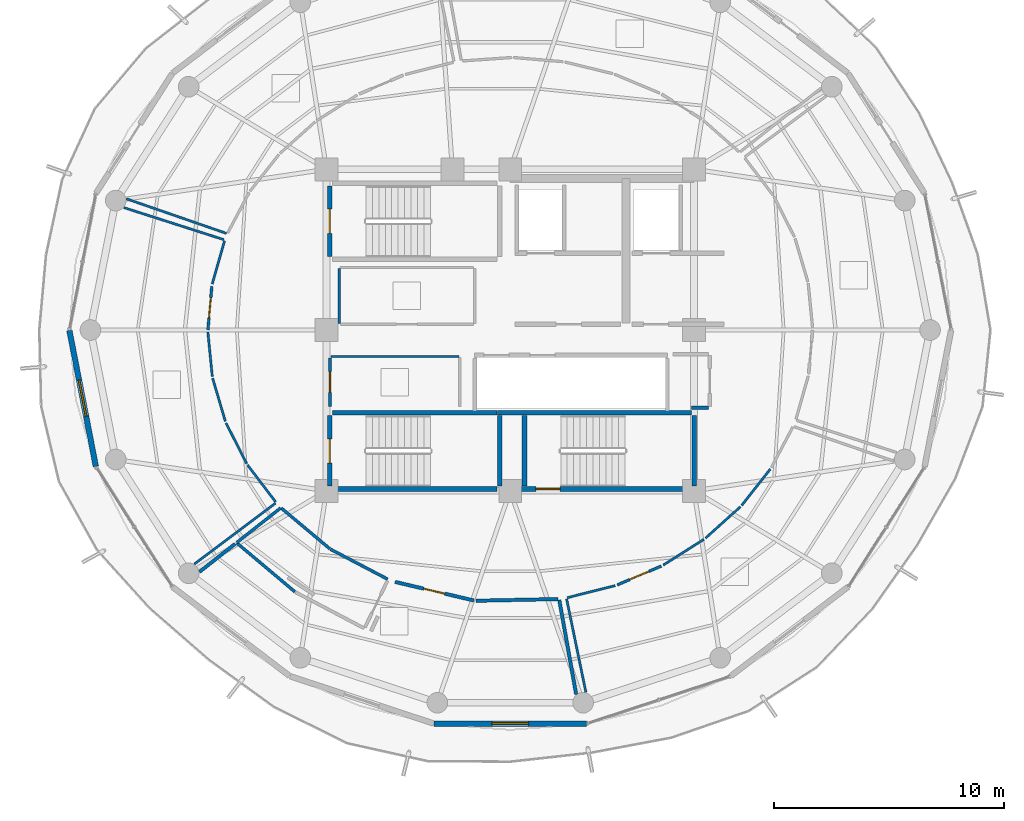
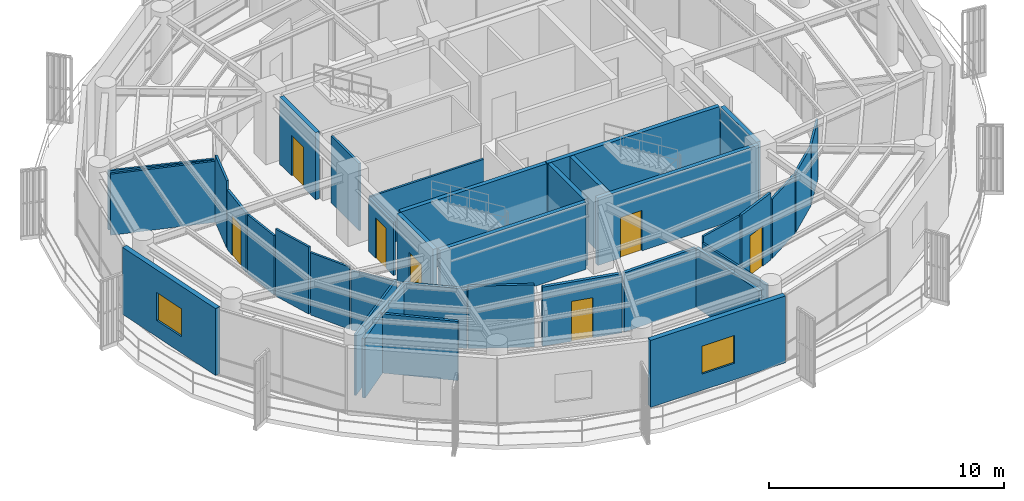
# One storey, part 16 of 23: 38 walls, 7 doors, 2 windows, 9 openings.
"""IFC4 building model written with IfcOpenShell, lengths in metres."""

from ifc_helpers import new_model, si_unit, direction, frame, frame_2d, origin, place, context, subcontext, project, spatial, rectangle, extrude, material, layer, layer_set, type_object, element, fill, save


model = new_model("IFC4")

# Units and contexts
model_context = context("Model", 3, precision=1e-05, world=origin(), true_north=direction((0.0, 1.0)))
body_context = subcontext(model_context, "Body", "Model", "MODEL_VIEW")
ifc_project = project(units=[si_unit("LENGTHUNIT", "METRE"), si_unit("AREAUNIT", "SQUARE_METRE"), si_unit("VOLUMEUNIT", "CUBIC_METRE"), si_unit("PLANEANGLEUNIT", "RADIAN"), si_unit("MASSUNIT", "GRAM", prefix="KILO")], contexts=[model_context])

# Site, building, storey
site_placement = place(None, origin())
site = spatial("IfcSite", under=ifc_project, at=site_placement, CompositionType="ELEMENT")
building_placement = place(site_placement, origin())
building = spatial("IfcBuilding", under=site, at=building_placement, Name="Kelanora Arch Commons", CompositionType="ELEMENT")
storey_placement = place(building_placement, frame((0.0, 0.0, 286.199951171875)))
storey = spatial("IfcBuildingStorey", under=building, at=storey_placement, Name="L73", CompositionType="ELEMENT", Elevation=286.199951171875)

# Wall, opening, door
ifc_material_1 = material(Name="Autoclaved aerated concrete blockwork with fire plaster", Category="masonry")
ifc_layer_1 = layer(ifc_material_1, 0.14990234375)
ifc_layer_set_1 = layer_set([ifc_layer_1], Name="Autoclaved aerated concrete blockwork with fire plaster")
wall_type_1 = type_object("IfcWallType", Name="W-COMP-150", PredefinedType="PARTITIONING", material=ifc_layer_set_1)
wall_1_placement = place(storey_placement, frame((68.9833984375, 47.033203125, 0.0), z_axis=(0.0, 0.0, 1.0), x_axis=(0.973265021884, -0.229684995542, 0.0)))
wall_1 = element("IfcWall", 1, at=wall_1_placement, inside=storey, type_object=wall_type_1, Name="Co-Living Studio L73-03 Entry Partition", PredefinedType="PARTITIONING", context=body_context, shape_type="SweptSolid", body=[
    extrude(rectangle(XDim=3.519287109375, YDim=0.14990234375, at=frame_2d((1.759765625, 0.0))), origin(), (0.0, 0.0, 1.0), 3.074951171875),
])
opening_1_placement = place(wall_1_placement, frame((1.284912109375, 0.0, 0.0)))
opening_1 = element("IfcOpeningElement", 2, at=opening_1_placement, cuts=wall_1, Name="Opening D-CLU1", PredefinedType="OPENING", context=body_context, shape_type="SweptSolid", body=[
    extrude(rectangle(XDim=0.949951171875, YDim=2.080078125, at=frame_2d((0.47509765625, 1.0400390625))), frame((0.0, 0.0849609375, 0.0), z_axis=(0.0, -1.0, 0.0), x_axis=(1.0, 0.0, 0.0)), (0.0, 0.0, 1.0), 0.169921875),
])
ifc_material_2 = material(Name="Solid-core acoustic timber cluster entry fire door", Category="wood")
door_type_1 = type_object("IfcDoorType", Name="D-CLU-95", OperationType="NOTDEFINED", PredefinedType="DOOR", material=ifc_material_2)
door_1_placement = place(opening_1_placement, origin())
door_1 = element("IfcDoor", 3, at=door_1_placement, inside=storey, type_object=door_type_1, Name="Co-Living Studio L73-03 Door", OperationType="SINGLE_SWING_LEFT", OverallHeight=2.080078125, OverallWidth=0.949951171875, PredefinedType="DOOR", context=body_context, shape_type="SweptSolid", body=[
    extrude(rectangle(XDim=0.949951171875, YDim=2.080078125, at=frame_2d((0.47509765625, 1.0400390625))), frame((0.0, 0.02490234375, 0.0), z_axis=(0.0, -1.0, 0.0), x_axis=(1.0, 0.0, 0.0)), (0.0, 0.0, 1.0), 0.050048828125),
])
fill(opening_1, door_1)

# Walls
wall_2_placement = place(storey_placement, frame((81.89990234375, 54.6201171875, 0.0), z_axis=(0.0, 0.0, 1.0), x_axis=(1.0, 0.0, 0.0)))
element("IfcWall", 4, at=wall_2_placement, inside=storey, type_object=wall_type_1, Name="Core Housekeeping Store L73 Enclosure Partition 1", PredefinedType="PARTITIONING", context=body_context, shape_type="SweptSolid", body=[
    extrude(rectangle(XDim=0.739990234375, YDim=0.14990234375, at=frame_2d((0.3701171875, 0.0))), origin(), (0.0, 0.0, 1.0), 2.775146484375),
])
wall_3_placement = place(storey_placement, frame((72.507080078125, 46.2119140625, 0.0), z_axis=(0.0, 0.0, 1.0), x_axis=(0.999790880908, 0.02044980325, 0.0)))
element("IfcWall", 5, at=wall_3_placement, inside=storey, type_object=wall_type_1, Name="Co-Living Studio L73-03 Enclosure Partition 2", PredefinedType="PARTITIONING", context=body_context, shape_type="SweptSolid", body=[
    extrude(rectangle(XDim=3.58154296875, YDim=0.14990234375, at=frame_2d((1.790771484375, 0.0))), origin(), (0.0, 0.0, 1.0), 3.074951171875),
])
wall_4_placement = place(storey_placement, frame((76.135009765625, 46.24658203125, 0.0), z_axis=(0.0, 0.0, 1.0), x_axis=(0.176199339585, -0.984354505618, 0.0)))
element("IfcWall", 6, at=wall_4_placement, inside=storey, type_object=wall_type_1, Name="Co-Living Studio L73-03 Enclosure Partition 3", PredefinedType="PARTITIONING", context=body_context, shape_type="SweptSolid", body=[
    extrude(rectangle(XDim=4.17626953125, YDim=0.14990234375, at=frame_2d((2.088134765625, 0.0))), origin(), (0.0, 0.0, 1.0), 3.074951171875),
])
wall_5_placement = place(storey_placement, frame((60.4677734375, 47.467529296875, 0.0), z_axis=(0.0, 0.0, 1.0), x_axis=(0.785768578647, 0.618520606618, 0.0)))
element("IfcWall", 7, at=wall_5_placement, inside=storey, type_object=wall_type_1, Name="Co-Living Studio L73-03 Enclosure Partition 6", PredefinedType="PARTITIONING", context=body_context, shape_type="SweptSolid", body=[
    extrude(rectangle(XDim=1.9736328125, YDim=0.14990234375, at=frame_2d((0.98681640625, 0.0))), origin(), (0.0, 0.0, 1.0), 3.074951171875),
])

# Wall, opening, window
ifc_material_3 = material(Name="Precast concrete C40/50 upper-zone terracotta rainscreen", Category="masonry")
ifc_layer_2 = layer(ifc_material_3, 0.239990234375)
ifc_layer_set_2 = layer_set([ifc_layer_2], Name="Precast concrete C40/50 upper-zone terracotta rainscreen")
wall_type_2 = type_object("IfcWallType", Name="W-EXT-TC2", PredefinedType="SOLIDWALL", material=ifc_layer_set_2)
wall_6_placement = place(storey_placement, frame((54.802978515625, 57.9853515625, 0.0), z_axis=(0.0, 0.0, 1.0), x_axis=(0.190969309115, -0.981596008028, 0.0)))
wall_6 = element("IfcWall", 8, at=wall_6_placement, inside=storey, type_object=wall_type_2, Name="Terracotta Exterior Wall L73-B09", PredefinedType="SOLIDWALL", context=body_context, shape_type="SweptSolid", body=[
    extrude(rectangle(XDim=6.032958984375, YDim=0.239990234375, at=frame_2d((3.0166015625, 0.0))), origin(), (0.0, 0.0, 1.0), 3.47509765625),
])
opening_2_placement = place(wall_6_placement, frame((2.216064453125, 0.0, 0.85009765625)))
opening_2 = element("IfcOpeningElement", 9, at=opening_2_placement, cuts=wall_6, Name="Opening WN-01", PredefinedType="OPENING", context=body_context, shape_type="SweptSolid", body=[
    extrude(rectangle(XDim=1.60009765625, YDim=1.449951171875, at=frame_2d((0.800048828125, 0.72509765625))), frame((0.0, 0.1298828125, 0.0), z_axis=(0.0, -1.0, 0.0), x_axis=(1.0, 0.0, 0.0)), (0.0, 0.0, 1.0), 0.260009765625),
])
ifc_material_4 = material(Name="Terracotta-anodised aluminium frame with operable low-E glazing", Category="masonry")
window_type = type_object("IfcWindowType", Name="WIN-CL-18", PartitioningType="DOUBLE_PANEL_VERTICAL", PredefinedType="WINDOW", material=ifc_material_4)
window_1_placement = place(opening_2_placement, origin())
window_1 = element("IfcWindow", 10, at=window_1_placement, inside=storey, type_object=window_type, Name="Co-Living Operable Window L73-B09", OverallHeight=1.449951171875, OverallWidth=1.60009765625, PartitioningType="SINGLE_PANEL", PredefinedType="WINDOW", context=body_context, shape_type="SweptSolid", body=[
    extrude(rectangle(XDim=1.60009765625, YDim=1.449951171875, at=frame_2d((0.800048828125, 0.72509765625))), frame((0.0, 0.030029296875, 0.0), z_axis=(0.0, -1.0, 0.0), x_axis=(1.0, 0.0, 0.0)), (0.0, 0.0, 1.0), 0.06005859375),
])
fill(opening_2, window_1)

wall_7_placement = place(storey_placement, frame((70.680908203125, 40.8642578125, 0.0), z_axis=(0.0, 0.0, 1.0), x_axis=(1.0, 0.0, 0.0)))
wall_7 = element("IfcWall", 11, at=wall_7_placement, inside=storey, type_object=wall_type_2, Name="Terracotta Exterior Wall L73-B13", PredefinedType="SOLIDWALL", context=body_context, shape_type="SweptSolid", body=[
    extrude(rectangle(XDim=6.63818359375, YDim=0.239990234375, at=frame_2d((3.319091796875, 0.0))), origin(), (0.0, 0.0, 1.0), 3.47509765625),
])
opening_3_placement = place(wall_7_placement, frame((2.51904296875, 0.0, 0.85009765625)))
opening_3 = element("IfcOpeningElement", 12, at=opening_3_placement, cuts=wall_7, Name="Opening WN-01", PredefinedType="OPENING", context=body_context, shape_type="SweptSolid", body=[
    extrude(rectangle(XDim=1.60009765625, YDim=1.449951171875, at=frame_2d((0.800048828125, 0.72509765625))), frame((0.0, 0.1298828125, 0.0), z_axis=(0.0, -1.0, 0.0), x_axis=(1.0, 0.0, 0.0)), (0.0, 0.0, 1.0), 0.260009765625),
])
window_2_placement = place(opening_3_placement, origin())
window_2 = element("IfcWindow", 13, at=window_2_placement, inside=storey, type_object=window_type, Name="Co-Living Operable Window L73-B13", OverallHeight=1.449951171875, OverallWidth=1.60009765625, PartitioningType="SINGLE_PANEL", PredefinedType="WINDOW", context=body_context, shape_type="SweptSolid", body=[
    extrude(rectangle(XDim=1.60009765625, YDim=1.449951171875, at=frame_2d((0.800048828125, 0.72509765625))), frame((0.0, 0.030029296875, 0.0), z_axis=(0.0, -1.0, 0.0), x_axis=(1.0, 0.0, 0.0)), (0.0, 0.0, 1.0), 0.06005859375),
])
fill(opening_3, window_2)

# Walls
ifc_material_5 = material(Name="Lightweight fire-rated acoustic stud partition")
ifc_layer_3 = layer(ifc_material_5, 0.10009765625)
ifc_layer_set_3 = layer_set([ifc_layer_3], Name="Lightweight fire-rated acoustic stud partition")
wall_type_3 = type_object("IfcWallType", Name="W-PART-100", PredefinedType="PARTITIONING", material=ifc_layer_set_3)
wall_8_placement = place(storey_placement, frame((66.550048828125, 60.679931640625, 0.0), z_axis=(0.0, 0.0, 1.0), x_axis=(0.0, -1.0, 0.0)))
element("IfcWall", 14, at=wall_8_placement, inside=storey, type_object=wall_type_3, Name="Reclaimed Core Study Pod Lounge L73 Enclosure Partition 4", PredefinedType="PARTITIONING", context=body_context, shape_type="SweptSolid", body=[
    extrude(rectangle(XDim=2.389892578125, YDim=0.10009765625, at=frame_2d((1.19482421875, 0.0))), origin(), (0.0, 0.0, 1.0), 3.47998046875),
])
wall_9_placement = place(storey_placement, frame((71.760009765625, 56.85009765625, 0.0), z_axis=(0.0, 0.0, 1.0), x_axis=(-1.0, 0.0, 0.0)))
element("IfcWall", 15, at=wall_9_placement, inside=storey, type_object=wall_type_3, Name="Reclaimed Core High-Zone Pantry and Copy Room L73 Enclosure Partition 3", PredefinedType="PARTITIONING", context=body_context, shape_type="SweptSolid", body=[
    extrude(rectangle(XDim=5.570068359375, YDim=0.10009765625, at=frame_2d((2.78515625, 0.0))), origin(), (0.0, 0.0, 1.0), 2.775146484375),
])
wall_10_placement = place(storey_placement, frame((61.64208984375, 62.208984375, 0.0), z_axis=(0.0, 0.0, 1.0), x_axis=(-0.945103281494, 0.326771766388, 0.0)))
element("IfcWall", 16, at=wall_10_placement, inside=storey, type_object=wall_type_3, Name="Communal Dining and Social Hall L73-01 Enclosure Partition 7", PredefinedType="PARTITIONING", context=body_context, shape_type="SweptSolid", body=[
    extrude(rectangle(XDim=4.603759765625, YDim=0.10009765625, at=frame_2d((2.3017578125, 0.0))), origin(), (0.0, 0.0, 1.0), 3.074951171875),
])
wall_11_placement = place(storey_placement, frame((61.55908203125, 61.884521484375, 0.0), z_axis=(0.0, 0.0, 1.0), x_axis=(-0.274226302341, -0.961665188673, 0.0)))
element("IfcWall", 17, at=wall_11_placement, inside=storey, type_object=wall_type_3, Name="Social Sky Lounge L73-02 Enclosure Partition 1", PredefinedType="PARTITIONING", context=body_context, shape_type="SweptSolid", body=[
    extrude(rectangle(XDim=1.955078125, YDim=0.10009765625, at=frame_2d((0.9775390625, 0.0))), origin(), (0.0, 0.0, 1.0), 3.47998046875),
])
wall_12_placement = place(storey_placement, frame((60.833984375, 57.912109375, 0.0), z_axis=(0.0, 0.0, 1.0), x_axis=(0.098769631998, -0.995110325439, 0.0)))
element("IfcWall", 18, at=wall_12_placement, inside=storey, type_object=wall_type_3, Name="Social Sky Lounge L73-02 Enclosure Partition 3", PredefinedType="PARTITIONING", context=body_context, shape_type="SweptSolid", body=[
    extrude(rectangle(XDim=1.94287109375, YDim=0.10009765625, at=frame_2d((0.971435546875, 0.0))), origin(), (0.0, 0.0, 1.0), 3.074951171875),
])
wall_13_placement = place(storey_placement, frame((61.041259765625, 55.900634765625, 0.0), z_axis=(0.0, 0.0, 1.0), x_axis=(0.28293653612, -0.959138632591, 0.0)))
element("IfcWall", 19, at=wall_13_placement, inside=storey, type_object=wall_type_3, Name="Social Sky Lounge L73-02 Enclosure Partition 4", PredefinedType="PARTITIONING", context=body_context, shape_type="SweptSolid", body=[
    extrude(rectangle(XDim=1.9560546875, YDim=0.10009765625, at=frame_2d((0.97802734375, 0.0))), origin(), (0.0, 0.0, 1.0), 3.47998046875),
])
wall_14_placement = place(storey_placement, frame((61.6240234375, 53.950439453125, 0.0), z_axis=(0.0, 0.0, 1.0), x_axis=(0.453658133306, -0.891175795276, 0.0)))
element("IfcWall", 20, at=wall_14_placement, inside=storey, type_object=wall_type_3, Name="Social Sky Lounge L73-02 Enclosure Partition 5", PredefinedType="PARTITIONING", context=body_context, shape_type="SweptSolid", body=[
    extrude(rectangle(XDim=1.9814453125, YDim=0.10009765625, at=frame_2d((0.99072265625, 0.0))), origin(), (0.0, 0.0, 1.0), 3.235107421875),
])
wall_15_placement = place(storey_placement, frame((62.565185546875, 52.1171875, 0.0), z_axis=(0.0, 0.0, 1.0), x_axis=(0.605473441765, -0.795865510823, 0.0)))
element("IfcWall", 21, at=wall_15_placement, inside=storey, type_object=wall_type_3, Name="Social Sky Lounge L73-02 Enclosure Partition 6", PredefinedType="PARTITIONING", context=body_context, shape_type="SweptSolid", body=[
    extrude(rectangle(XDim=2.014404296875, YDim=0.10009765625, at=frame_2d((1.00732421875, 0.0))), origin(), (0.0, 0.0, 1.0), 3.074951171875),
])
wall_16_placement = place(storey_placement, frame((63.777099609375, 50.4580078125, 0.0), z_axis=(0.0, 0.0, 1.0), x_axis=(-0.800384816546, -0.599486568191, 0.0)))
element("IfcWall", 22, at=wall_16_placement, inside=storey, type_object=wall_type_3, Name="Social Sky Lounge L73-02 Enclosure Partition 7", PredefinedType="PARTITIONING", context=body_context, shape_type="SweptSolid", body=[
    extrude(rectangle(XDim=4.413818359375, YDim=0.10009765625, at=frame_2d((2.20703125, 0.0))), origin(), (0.0, 0.0, 1.0), 3.175048828125),
])
wall_17_placement = place(storey_placement, frame((57.184326171875, 63.328857421875, 0.0), z_axis=(0.0, 0.0, 1.0), x_axis=(0.95227750557, -0.305233602976, 0.0)))
element("IfcWall", 23, at=wall_17_placement, inside=storey, type_object=wall_type_3, Name="Social Sky Lounge L73-02 Enclosure Partition 14", PredefinedType="PARTITIONING", context=body_context, shape_type="SweptSolid", body=[
    extrude(rectangle(XDim=4.5654296875, YDim=0.10009765625, at=frame_2d((2.28271484375, 0.0))), origin(), (0.0, 0.0, 1.0), 3.175048828125),
])
wall_18_placement = place(storey_placement, frame((76.48388671875, 46.345703125, 0.0), z_axis=(0.0, 0.0, 1.0), x_axis=(0.969827312174, 0.243792913272, 0.0)))
element("IfcWall", 24, at=wall_18_placement, inside=storey, type_object=wall_type_3, Name="Quiet Seminar Study Room L73-04 Enclosure Partition 1", PredefinedType="PARTITIONING", context=body_context, shape_type="SweptSolid", body=[
    extrude(rectangle(XDim=2.14697265625, YDim=0.10009765625, at=frame_2d((1.073486328125, 0.0))), origin(), (0.0, 0.0, 1.0), 3.47998046875),
])
wall_19_placement = place(storey_placement, frame((80.664794921875, 47.766357421875, 0.0), z_axis=(0.0, 0.0, 1.0), x_axis=(0.844856002064, 0.534993771717, 0.0)))
element("IfcWall", 25, at=wall_19_placement, inside=storey, type_object=wall_type_3, Name="Quiet Seminar Study Room L73-04 Enclosure Partition 3", PredefinedType="PARTITIONING", context=body_context, shape_type="SweptSolid", body=[
    extrude(rectangle(XDim=2.091796875, YDim=0.10009765625, at=frame_2d((1.0458984375, 0.0))), origin(), (0.0, 0.0, 1.0), 3.074951171875),
])
wall_20_placement = place(storey_placement, frame((82.495849609375, 48.93359375, 0.0), z_axis=(0.0, 0.0, 1.0), x_axis=(0.743943808924, 0.668242178527, 0.0)))
element("IfcWall", 26, at=wall_20_placement, inside=storey, type_object=wall_type_3, Name="Quiet Seminar Study Room L73-04 Enclosure Partition 4", PredefinedType="PARTITIONING", context=body_context, shape_type="SweptSolid", body=[
    extrude(rectangle(XDim=2.054443359375, YDim=0.10009765625, at=frame_2d((1.02734375, 0.0))), origin(), (0.0, 0.0, 1.0), 3.074951171875),
])
wall_21_placement = place(storey_placement, frame((84.07861328125, 50.364501953125, 0.0), z_axis=(0.0, 0.0, 1.0), x_axis=(0.618820199788, 0.785532660259, 0.0)))
element("IfcWall", 27, at=wall_21_placement, inside=storey, type_object=wall_type_3, Name="Quiet Seminar Study Room L73-04 Enclosure Partition 5", PredefinedType="PARTITIONING", context=body_context, shape_type="SweptSolid", body=[
    extrude(rectangle(XDim=2.01806640625, YDim=0.10009765625, at=frame_2d((1.009033203125, 0.0))), origin(), (0.0, 0.0, 1.0), 3.074951171875),
])
wall_22_placement = place(storey_placement, frame((77.293212890625, 42.230224609375, 0.0), z_axis=(0.0, 0.0, 1.0), x_axis=(-0.202308141573, 0.979321916355, 0.0)))
element("IfcWall", 28, at=wall_22_placement, inside=storey, type_object=wall_type_3, Name="Quiet Seminar Study Room L73-04 Enclosure Partition 14", PredefinedType="PARTITIONING", context=body_context, shape_type="SweptSolid", body=[
    extrude(rectangle(XDim=4.152587890625, YDim=0.10009765625, at=frame_2d((2.076171875, 0.0))), origin(), (0.0, 0.0, 1.0), 3.175048828125),
])

# Wall, opening, door
ifc_material_6 = material(Name="Acoustic twin-stud fire-rated gypsum partition")
ifc_layer_4 = layer(ifc_material_6, 0.1201171875)
ifc_layer_set_4 = layer_set([ifc_layer_4], Name="Acoustic twin-stud fire-rated gypsum partition")
wall_type_4 = type_object("IfcWallType", Name="W-PART-120", PredefinedType="PARTITIONING", material=ifc_layer_set_4)
wall_23_placement = place(storey_placement, frame((66.14990234375, 54.679931640625, 0.0), z_axis=(0.0, 0.0, 1.0), x_axis=(0.0, 1.0, 0.0)))
wall_23 = element("IfcWall", 29, at=wall_23_placement, inside=storey, type_object=wall_type_4, Name="Reclaimed Core High-Zone Pantry and Copy Room L73 Entry Partition", PredefinedType="PARTITIONING", context=body_context, shape_type="SweptSolid", body=[
    extrude(rectangle(XDim=2.110107421875, YDim=0.1201171875, at=frame_2d((1.05517578125, 0.0))), origin(), (0.0, 0.0, 1.0), 2.775146484375),
])
opening_4_placement = place(wall_23_placement, frame((0.60498046875, 0.0, 0.0)))
opening_4 = element("IfcOpeningElement", 30, at=opening_4_placement, cuts=wall_23, Name="Opening D-RM1", PredefinedType="OPENING", context=body_context, shape_type="SweptSolid", body=[
    extrude(rectangle(XDim=0.89990234375, YDim=2.080078125, at=frame_2d((0.449951171875, 1.0400390625))), frame((0.0, 0.070068359375, 0.0), z_axis=(0.0, -1.0, 0.0), x_axis=(1.0, 0.0, 0.0)), (0.0, 0.0, 1.0), 0.14013671875),
])
ifc_material_7 = material(Name="Acoustic fire-rated timber study and lounge door", Category="wood")
door_type_2 = type_object("IfcDoorType", Name="D-ROOM-90", OperationType="NOTDEFINED", PredefinedType="DOOR", material=ifc_material_7)
door_2_placement = place(opening_4_placement, origin())
door_2 = element("IfcDoor", 31, at=door_2_placement, inside=storey, type_object=door_type_2, Name="Reclaimed Core High-Zone Pantry and Copy Room L73 Door", OperationType="SINGLE_SWING_LEFT", OverallHeight=2.080078125, OverallWidth=0.89990234375, PredefinedType="DOOR", context=body_context, shape_type="SweptSolid", body=[
    extrude(rectangle(XDim=0.89990234375, YDim=2.080078125, at=frame_2d((0.449951171875, 1.0400390625))), frame((0.0, 0.02490234375, 0.0), z_axis=(0.0, -1.0, 0.0), x_axis=(1.0, 0.0, 0.0)), (0.0, 0.0, 1.0), 0.050048828125),
])
fill(opening_4, door_2)

wall_24_placement = place(storey_placement, frame((61.006591796875, 59.90625, 0.0), z_axis=(0.0, 0.0, 1.0), x_axis=(-0.089968706127, -0.995944592795, 0.0)))
wall_24 = element("IfcWall", 32, at=wall_24_placement, inside=storey, type_object=wall_type_4, Name="Social Sky Lounge L73-02 Entry Partition", PredefinedType="PARTITIONING", context=body_context, shape_type="SweptSolid", body=[
    extrude(rectangle(XDim=1.90234375, YDim=0.1201171875, at=frame_2d((0.951171875, 0.0))), origin(), (0.0, 0.0, 1.0), 3.074951171875),
])
opening_5_placement = place(wall_24_placement, frame((0.5009765625, 0.0, 0.0)))
opening_5 = element("IfcOpeningElement", 33, at=opening_5_placement, cuts=wall_24, Name="Opening D-RM1", PredefinedType="OPENING", context=body_context, shape_type="SweptSolid", body=[
    extrude(rectangle(XDim=0.89990234375, YDim=2.080078125, at=frame_2d((0.449951171875, 1.0400390625))), frame((0.0, 0.070068359375, 0.0), z_axis=(0.0, -1.0, 0.0), x_axis=(1.0, 0.0, 0.0)), (0.0, 0.0, 1.0), 0.14013671875),
])
door_3_placement = place(opening_5_placement, origin())
door_3 = element("IfcDoor", 34, at=door_3_placement, inside=storey, type_object=door_type_2, Name="Social Sky Lounge L73-02 Door", OperationType="SINGLE_SWING_LEFT", OverallHeight=2.080078125, OverallWidth=0.89990234375, PredefinedType="DOOR", context=body_context, shape_type="SweptSolid", body=[
    extrude(rectangle(XDim=0.89990234375, YDim=2.080078125, at=frame_2d((0.449951171875, 1.0400390625))), frame((0.0, 0.02490234375, 0.0), z_axis=(0.0, -1.0, 0.0), x_axis=(1.0, 0.0, 0.0)), (0.0, 0.0, 1.0), 0.050048828125),
])
fill(opening_5, door_3)

wall_25_placement = place(storey_placement, frame((78.66015625, 46.902587890625, 0.0), z_axis=(0.0, 0.0, 1.0), x_axis=(0.919508345424, 0.39307048057, 0.0)))
wall_25 = element("IfcWall", 35, at=wall_25_placement, inside=storey, type_object=wall_type_4, Name="Quiet Seminar Study Room L73-04 Entry Partition", PredefinedType="PARTITIONING", context=body_context, shape_type="SweptSolid", body=[
    extrude(rectangle(XDim=2.083251953125, YDim=0.1201171875, at=frame_2d((1.04150390625, 0.0))), origin(), (0.0, 0.0, 1.0), 3.47998046875),
])
opening_6_placement = place(wall_25_placement, frame((0.592041015625, 0.0, 0.0)))
opening_6 = element("IfcOpeningElement", 36, at=opening_6_placement, cuts=wall_25, Name="Opening D-RM1", PredefinedType="OPENING", context=body_context, shape_type="SweptSolid", body=[
    extrude(rectangle(XDim=0.89990234375, YDim=2.080078125, at=frame_2d((0.449951171875, 1.0400390625))), frame((0.0, 0.070068359375, 0.0), z_axis=(0.0, -1.0, 0.0), x_axis=(1.0, 0.0, 0.0)), (0.0, 0.0, 1.0), 0.14013671875),
])
door_4_placement = place(opening_6_placement, origin())
door_4 = element("IfcDoor", 37, at=door_4_placement, inside=storey, type_object=door_type_2, Name="Quiet Seminar Study Room L73-04 Door", OperationType="SINGLE_SWING_RIGHT", OverallHeight=2.080078125, OverallWidth=0.89990234375, PredefinedType="DOOR", context=body_context, shape_type="SweptSolid", body=[
    extrude(rectangle(XDim=0.89990234375, YDim=2.080078125, at=frame_2d((0.449951171875, 1.0400390625))), frame((0.0, 0.02490234375, 0.0), z_axis=(0.0, -1.0, 0.0), x_axis=(1.0, 0.0, 0.0)), (0.0, 0.0, 1.0), 0.050048828125),
])
fill(opening_6, door_4)

ifc_material_8 = material(Name="Concrete C40/50", Category="concrete")
ifc_layer_5 = layer(ifc_material_8, 0.199951171875)
ifc_layer_set_5 = layer_set([ifc_layer_5], Name="Concrete C40/50")
wall_type_5 = type_object("IfcWallType", Name="W-STAIR-200", PredefinedType="SHEAR", material=ifc_layer_set_5)
wall_26_placement = place(storey_placement, frame((66.139892578125, 64.27001953125, 0.0), z_axis=(0.0, 0.0, 1.0), x_axis=(0.0, -1.0, 0.0)))
wall_26 = element("IfcWall", 38, at=wall_26_placement, inside=storey, type_object=wall_type_5, Name="Stair ST-T1 Shaft Wall W L73", PredefinedType="SHEAR", context=body_context, shape_type="SweptSolid", body=[
    extrude(rectangle(XDim=3.070068359375, YDim=0.199951171875, at=frame_2d((1.53515625, 0.0))), origin(), (0.0, 0.0, 1.0), 3.489990234375),
])
opening_7_placement = place(wall_26_placement, frame((1.010009765625, 0.0, 0.0)))
opening_7 = element("IfcOpeningElement", 39, at=opening_7_placement, cuts=wall_26, Name="Opening D-ST1", PredefinedType="OPENING", context=body_context, shape_type="SweptSolid", body=[
    extrude(rectangle(XDim=1.050048828125, YDim=2.10009765625, at=frame_2d((0.52490234375, 1.050048828125))), frame((0.0, 0.10986328125, 0.0), z_axis=(0.0, -1.0, 0.0), x_axis=(1.0, 0.0, 0.0)), (0.0, 0.0, 1.0), 0.219970703125),
])
ifc_material_9 = material(Name="Steel fire-rated stairwell escape door", Category="steel")
door_type_3 = type_object("IfcDoorType", Name="D-STAIR-110", OperationType="NOTDEFINED", PredefinedType="DOOR", material=ifc_material_9)
door_5_placement = place(opening_7_placement, origin())
door_5 = element("IfcDoor", 40, at=door_5_placement, inside=storey, type_object=door_type_3, Name="Stair ST-T1 Escape Door L73", OperationType="SINGLE_SWING_LEFT", OverallHeight=2.10009765625, OverallWidth=1.050048828125, PredefinedType="DOOR", context=body_context, shape_type="SweptSolid", body=[
    extrude(rectangle(XDim=1.050048828125, YDim=2.10009765625, at=frame_2d((0.52490234375, 1.050048828125))), frame((0.0, 0.02490234375, 0.0), z_axis=(0.0, -1.0, 0.0), x_axis=(1.0, 0.0, 0.0)), (0.0, 0.0, 1.0), 0.050048828125),
])
fill(opening_7, door_5)

wall_27_placement = place(storey_placement, frame((74.0, 51.080078125, 0.0), z_axis=(0.0, 0.0, 1.0), x_axis=(1.0, 0.0, 0.0)))
wall_27 = element("IfcWall", 41, at=wall_27_placement, inside=storey, type_object=wall_type_5, Name="Stair ST-T2 Shaft Wall S L73", PredefinedType="SHEAR", context=body_context, shape_type="SweptSolid", body=[
    extrude(rectangle(XDim=7.89990234375, YDim=0.199951171875, at=frame_2d((3.949951171875, 0.0))), origin(), (0.0, 0.0, 1.0), 3.489990234375),
])
opening_8_placement = place(wall_27_placement, frame((1.1201171875, 0.0, 0.0)))
opening_8 = element("IfcOpeningElement", 42, at=opening_8_placement, cuts=wall_27, Name="Opening D-ST1", PredefinedType="OPENING", context=body_context, shape_type="SweptSolid", body=[
    extrude(rectangle(XDim=1.050048828125, YDim=2.10009765625, at=frame_2d((0.52490234375, 1.050048828125))), frame((0.0, 0.10986328125, 0.0), z_axis=(0.0, -1.0, 0.0), x_axis=(1.0, 0.0, 0.0)), (0.0, 0.0, 1.0), 0.219970703125),
])
door_6_placement = place(opening_8_placement, origin())
door_6 = element("IfcDoor", 43, at=door_6_placement, inside=storey, type_object=door_type_3, Name="Stair ST-T2 Escape Door L73", OperationType="SINGLE_SWING_LEFT", OverallHeight=2.10009765625, OverallWidth=1.050048828125, PredefinedType="DOOR", context=body_context, shape_type="SweptSolid", body=[
    extrude(rectangle(XDim=1.050048828125, YDim=2.10009765625, at=frame_2d((0.52490234375, 1.050048828125))), frame((0.0, 0.02490234375, 0.0), z_axis=(0.0, -1.0, 0.0), x_axis=(1.0, 0.0, 0.0)), (0.0, 0.0, 1.0), 0.050048828125),
])
fill(opening_8, door_6)

# Walls
wall_28_placement = place(storey_placement, frame((82.02001953125, 51.199951171875, 0.0), z_axis=(0.0, 0.0, 1.0), x_axis=(0.0, 1.0, 0.0)))
element("IfcWall", 44, at=wall_28_placement, inside=storey, type_object=wall_type_5, Name="Stair ST-T2 Shaft Wall E L73", PredefinedType="SHEAR", context=body_context, shape_type="SweptSolid", body=[
    extrude(rectangle(XDim=3.070068359375, YDim=0.199951171875, at=frame_2d((1.53515625, 0.0))), origin(), (0.0, 0.0, 1.0), 3.489990234375),
])
wall_29_placement = place(storey_placement, frame((81.89990234375, 54.389892578125, 0.0), z_axis=(0.0, 0.0, 1.0), x_axis=(-1.0, 0.0, 0.0)))
element("IfcWall", 45, at=wall_29_placement, inside=storey, type_object=wall_type_5, Name="Stair ST-T2 Shaft Wall N L73", PredefinedType="SHEAR", context=body_context, shape_type="SweptSolid", body=[
    extrude(rectangle(XDim=8.4599609375, YDim=0.199951171875, at=frame_2d((4.22998046875, 0.0))), origin(), (0.0, 0.0, 1.0), 3.489990234375),
])
wall_30_placement = place(storey_placement, frame((74.6201171875, 54.27001953125, 0.0), z_axis=(0.0, 0.0, 1.0), x_axis=(0.0, -1.0, 0.0)))
element("IfcWall", 46, at=wall_30_placement, inside=storey, type_object=wall_type_5, Name="Stair ST-T2 Shaft Wall W L73", PredefinedType="SHEAR", context=body_context, shape_type="SweptSolid", body=[
    extrude(rectangle(XDim=3.070068359375, YDim=0.199951171875, at=frame_2d((1.53515625, 0.0))), origin(), (0.0, 0.0, 1.0), 3.489990234375),
])
wall_31_placement = place(storey_placement, frame((66.260009765625, 51.080078125, 0.0), z_axis=(0.0, 0.0, 1.0), x_axis=(1.0, 0.0, 0.0)))
element("IfcWall", 47, at=wall_31_placement, inside=storey, type_object=wall_type_5, Name="Stair ST-T3 Shaft Wall S L73", PredefinedType="SHEAR", context=body_context, shape_type="SweptSolid", body=[
    extrude(rectangle(XDim=7.159912109375, YDim=0.199951171875, at=frame_2d((3.580078125, 0.0))), origin(), (0.0, 0.0, 1.0), 3.489990234375),
])
wall_32_placement = place(storey_placement, frame((73.5400390625, 51.199951171875, 0.0), z_axis=(0.0, 0.0, 1.0), x_axis=(0.0, 1.0, 0.0)))
element("IfcWall", 48, at=wall_32_placement, inside=storey, type_object=wall_type_5, Name="Stair ST-T3 Shaft Wall E L73", PredefinedType="SHEAR", context=body_context, shape_type="SweptSolid", body=[
    extrude(rectangle(XDim=3.070068359375, YDim=0.199951171875, at=frame_2d((1.53515625, 0.0))), origin(), (0.0, 0.0, 1.0), 3.489990234375),
])
wall_33_placement = place(storey_placement, frame((73.419921875, 54.389892578125, 0.0), z_axis=(0.0, 0.0, 1.0), x_axis=(-1.0, 0.0, 0.0)))
element("IfcWall", 49, at=wall_33_placement, inside=storey, type_object=wall_type_5, Name="Stair ST-T3 Shaft Wall N L73", PredefinedType="SHEAR", context=body_context, shape_type="SweptSolid", body=[
    extrude(rectangle(XDim=7.159912109375, YDim=0.199951171875, at=frame_2d((3.580078125, 0.0))), origin(), (0.0, 0.0, 1.0), 3.489990234375),
])

# Wall, opening, door
wall_34_placement = place(storey_placement, frame((66.139892578125, 54.27001953125, 0.0), z_axis=(0.0, 0.0, 1.0), x_axis=(0.0, -1.0, 0.0)))
wall_34 = element("IfcWall", 50, at=wall_34_placement, inside=storey, type_object=wall_type_5, Name="Stair ST-T3 Shaft Wall W L73", PredefinedType="SHEAR", context=body_context, shape_type="SweptSolid", body=[
    extrude(rectangle(XDim=3.070068359375, YDim=0.199951171875, at=frame_2d((1.53515625, 0.0))), origin(), (0.0, 0.0, 1.0), 3.489990234375),
])
opening_9_placement = place(wall_34_placement, frame((1.010009765625, 0.0, 0.0)))
opening_9 = element("IfcOpeningElement", 51, at=opening_9_placement, cuts=wall_34, Name="Opening D-ST1", PredefinedType="OPENING", context=body_context, shape_type="SweptSolid", body=[
    extrude(rectangle(XDim=1.050048828125, YDim=2.10009765625, at=frame_2d((0.52490234375, 1.050048828125))), frame((0.0, 0.10986328125, 0.0), z_axis=(0.0, -1.0, 0.0), x_axis=(1.0, 0.0, 0.0)), (0.0, 0.0, 1.0), 0.219970703125),
])
door_7_placement = place(opening_9_placement, origin())
door_7 = element("IfcDoor", 52, at=door_7_placement, inside=storey, type_object=door_type_3, Name="Stair ST-T3 Escape Door L73", OperationType="SINGLE_SWING_LEFT", OverallHeight=2.10009765625, OverallWidth=1.050048828125, PredefinedType="DOOR", context=body_context, shape_type="SweptSolid", body=[
    extrude(rectangle(XDim=1.050048828125, YDim=2.10009765625, at=frame_2d((0.52490234375, 1.050048828125))), frame((0.0, 0.02490234375, 0.0), z_axis=(0.0, -1.0, 0.0), x_axis=(1.0, 0.0, 0.0)), (0.0, 0.0, 1.0), 0.050048828125),
])
fill(opening_9, door_7)

# Walls
ifc_material_10 = material(Name="Moisture-resistant fire-rated cement-board plumbing wall")
ifc_layer_6 = layer(ifc_material_10, 0.1298828125)
ifc_layer_set_6 = layer_set([ifc_layer_6], Name="Moisture-resistant fire-rated cement-board plumbing wall")
wall_type_6 = type_object("IfcWallType", Name="W-WET-120", PredefinedType="PLUMBINGWALL", material=ifc_layer_set_6)
wall_35_placement = place(storey_placement, frame((64.0302734375, 50.2470703125, 0.0), z_axis=(0.0, 0.0, 1.0), x_axis=(0.766167599315, -0.642640809286, 0.0)))
element("IfcWall", 53, at=wall_35_placement, inside=storey, type_object=wall_type_6, Name="En-Suite Shower WC L73-03 Enclosure Partition 1", PredefinedType="PLUMBINGWALL", context=body_context, shape_type="SweptSolid", body=[
    extrude(rectangle(XDim=2.753173828125, YDim=0.1298828125, at=frame_2d((1.37646484375, 0.0))), origin(), (0.0, 0.0, 1.0), 3.074951171875),
])
wall_36_placement = place(storey_placement, frame((66.172607421875, 48.455810546875, 0.0), z_axis=(0.0, 0.0, 1.0), x_axis=(0.885795858503, -0.464075098512, 0.0)))
element("IfcWall", 54, at=wall_36_placement, inside=storey, type_object=wall_type_6, Name="En-Suite Shower WC L73-03 Enclosure Partition 2", PredefinedType="PLUMBINGWALL", context=body_context, shape_type="SweptSolid", body=[
    extrude(rectangle(XDim=2.81298828125, YDim=0.1298828125, at=frame_2d((1.406494140625, 0.0))), origin(), (0.0, 0.0, 1.0), 3.235107421875),
])
wall_37_placement = place(storey_placement, frame((64.61962890625, 46.60498046875, 0.0), z_axis=(0.0, 0.0, 1.0), x_axis=(-0.765494729633, 0.643442164382, 0.0)))
element("IfcWall", 55, at=wall_37_placement, inside=storey, type_object=wall_type_6, Name="En-Suite Shower WC L73-03 Enclosure Partition 5", PredefinedType="PLUMBINGWALL", context=body_context, shape_type="SweptSolid", body=[
    extrude(rectangle(XDim=3.29638671875, YDim=0.1298828125, at=frame_2d((1.648193359375, 0.0))), origin(), (0.0, 0.0, 1.0), 3.074951171875),
])
wall_38_placement = place(storey_placement, frame((62.0966796875, 48.75146484375, 0.0), z_axis=(0.0, 0.0, 1.0), x_axis=(0.786076764473, 0.618128886525, 0.0)))
element("IfcWall", 56, at=wall_38_placement, inside=storey, type_object=wall_type_6, Name="En-Suite Shower WC L73-03 Enclosure Partition 6", PredefinedType="PLUMBINGWALL", context=body_context, shape_type="SweptSolid", body=[
    extrude(rectangle(XDim=2.42041015625, YDim=0.1298828125, at=frame_2d((1.210205078125, 0.0))), origin(), (0.0, 0.0, 1.0), 3.074951171875),
])

save(model, "model.ifc")
